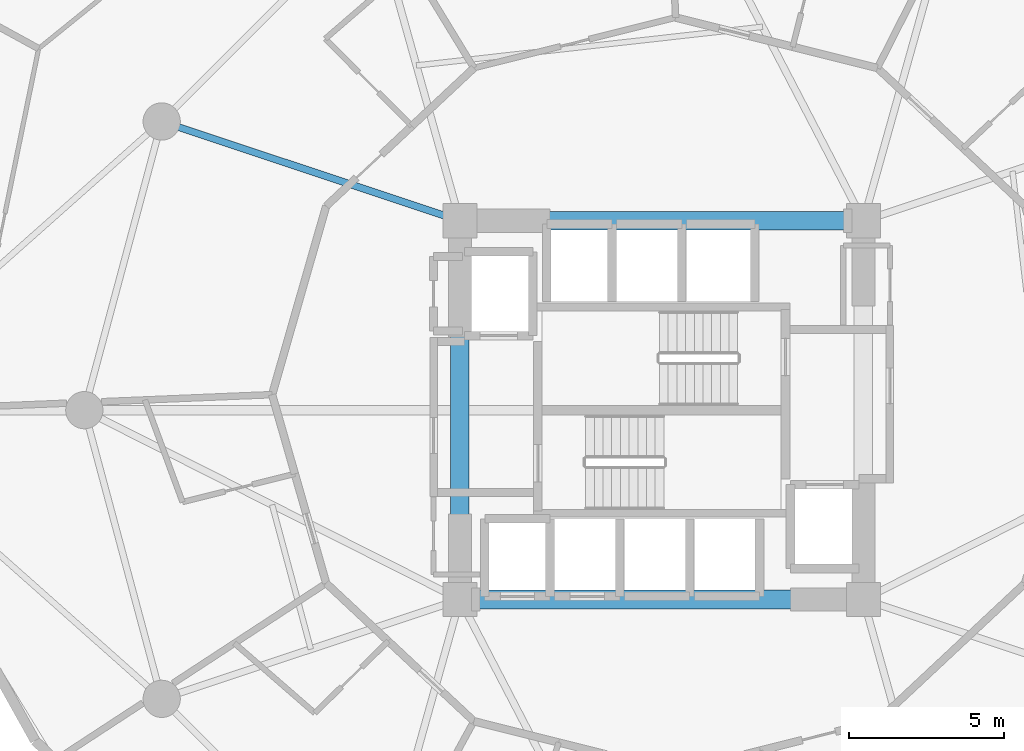
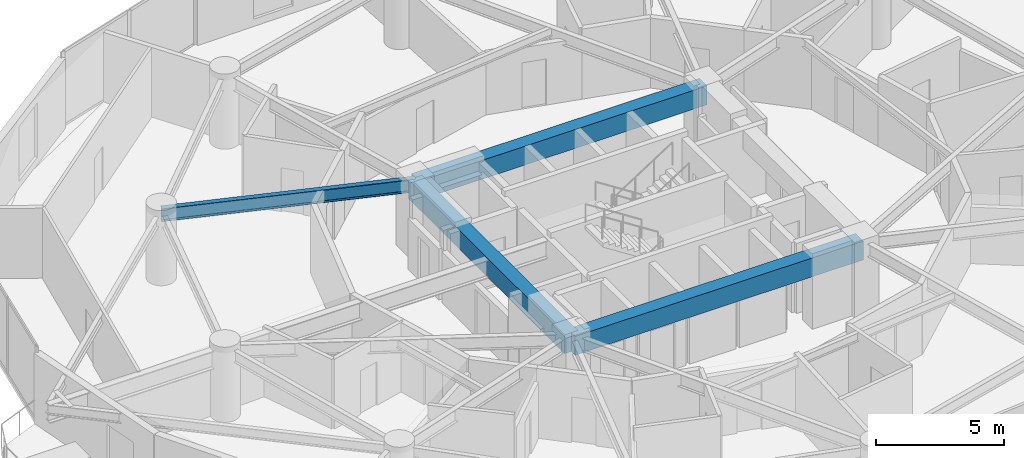
# One storey, part 5 of 22: 4 beams.
"""IFC4 building model written with IfcOpenShell, lengths in metres."""

from ifc_helpers import new_model, si_unit, direction, frame, origin, origin_2d, place, context, subcontext, project, spatial, rectangle, i_section, extrude, material, material_profile, profile_set, type_object, element, save


model = new_model("IFC4")

# Units and contexts
model_context = context("Model", 3, precision=1e-05, world=origin(), true_north=direction((0.0, 1.0)))
body_context = subcontext(model_context, "Body", "Model", "MODEL_VIEW")
ifc_project = project(units=[si_unit("LENGTHUNIT", "METRE"), si_unit("AREAUNIT", "SQUARE_METRE"), si_unit("VOLUMEUNIT", "CUBIC_METRE"), si_unit("PLANEANGLEUNIT", "RADIAN"), si_unit("MASSUNIT", "GRAM", prefix="KILO")], contexts=[model_context])

# Site, building, storey
site_placement = place(None, origin())
site = spatial("IfcSite", under=ifc_project, at=site_placement, CompositionType="ELEMENT")
building_placement = place(site_placement, origin())
building = spatial("IfcBuilding", under=site, at=building_placement, Name="Solvirekh Grand Hotel", CompositionType="ELEMENT")
storey_placement = place(building_placement, frame((0.0, 0.0, 78.800048828125)))
storey = spatial("IfcBuildingStorey", under=building, at=storey_placement, Name="L19", CompositionType="ELEMENT", Elevation=78.800048828125)

# Beams
ifc_material_1 = material(Name="Concrete C50/60", Category="concrete")
ifc_material_profile_1 = material_profile(ifc_material_1, rectangle(XDim=0.60009765625, YDim=0.89990234375, at=origin_2d()), Name="RC BEAM 600X900")
ifc_profile_set_1 = profile_set([ifc_material_profile_1], Name="Concrete C50/60")
beam_type_1 = type_object("IfcBeamType", Name="Beam_Core_RC900", PredefinedType="BEAM", material=ifc_profile_set_1)
for number, where, z_axis, x_axis, name in (
    (1, (-6.5, -6.10009765625, 2.889892578125), (1.0, 0.0, 0.0), (0.0, 1.0, 0.0), "L19 core coupling ring beam 1"),
    (2, (6.5, 6.10009765625, 2.889892578125), (-1.0, 0.0, 0.0), (0.0, -1.0, 0.0), "L19 core coupling ring beam 3"),
):
    element("IfcBeam", number, at=place(storey_placement, frame(where, z_axis=z_axis, x_axis=x_axis)), inside=storey, type_object=beam_type_1, Name=name, PredefinedType="BEAM", context=body_context, shape_type="SweptSolid", body=[
        extrude(rectangle(XDim=0.60009765625, YDim=0.89990234375, at=origin_2d()), origin(), (0.0, 0.0, 1.0), 13.0),
    ])
beam_1_placement = place(storey_placement, frame((-6.5, 6.10009765625, 2.889892578125), z_axis=(0.0, -1.0, 0.0), x_axis=(1.0, 0.0, 0.0)))
element("IfcBeam", 3, at=beam_1_placement, inside=storey, type_object=beam_type_1, Name="L19 core coupling ring beam 4", PredefinedType="BEAM", context=body_context, shape_type="SweptSolid", body=[
    extrude(rectangle(XDim=0.60009765625, YDim=0.89990234375, at=origin_2d()), origin(), (0.0, 0.0, 1.0), 12.2001953125),
])
ifc_material_2 = material(Name="Steel S355", Category="steel")
ifc_material_profile_2 = material_profile(ifc_material_2, i_section(OverallWidth=0.22802734375, OverallDepth=0.616943359375, WebThickness=0.012939453125, FlangeThickness=0.02001953125, FilletRadius=0.014892578125, at=origin_2d()), Name="W610X140")
ifc_profile_set_2 = profile_set([ifc_material_profile_2], Name="Steel S355")
beam_type_2 = type_object("IfcBeamType", Name="Beam_Radial_W610", PredefinedType="BEAM", material=ifc_profile_set_2)
beam_2_placement = place(storey_placement, frame((-6.5, 6.10009765625, 3.031982421875), z_axis=(-0.948762825819, 0.315989082635, 0.0), x_axis=(-0.315989082635, -0.948762825819, 0.0)))
element("IfcBeam", 4, at=beam_2_placement, inside=storey, type_object=beam_type_2, Name="L19 radial floor beam R06", PredefinedType="BEAM", context=body_context, shape_type="SweptSolid", body=[
    extrude(i_section(OverallWidth=0.22802734375, OverallDepth=0.616943359375, WebThickness=0.012939453125, FlangeThickness=0.02001953125, FilletRadius=0.014892578125, at=origin_2d()), origin(), (0.0, 0.0, 1.0), 10.126708984375),
])

save(model, "model.ifc")
